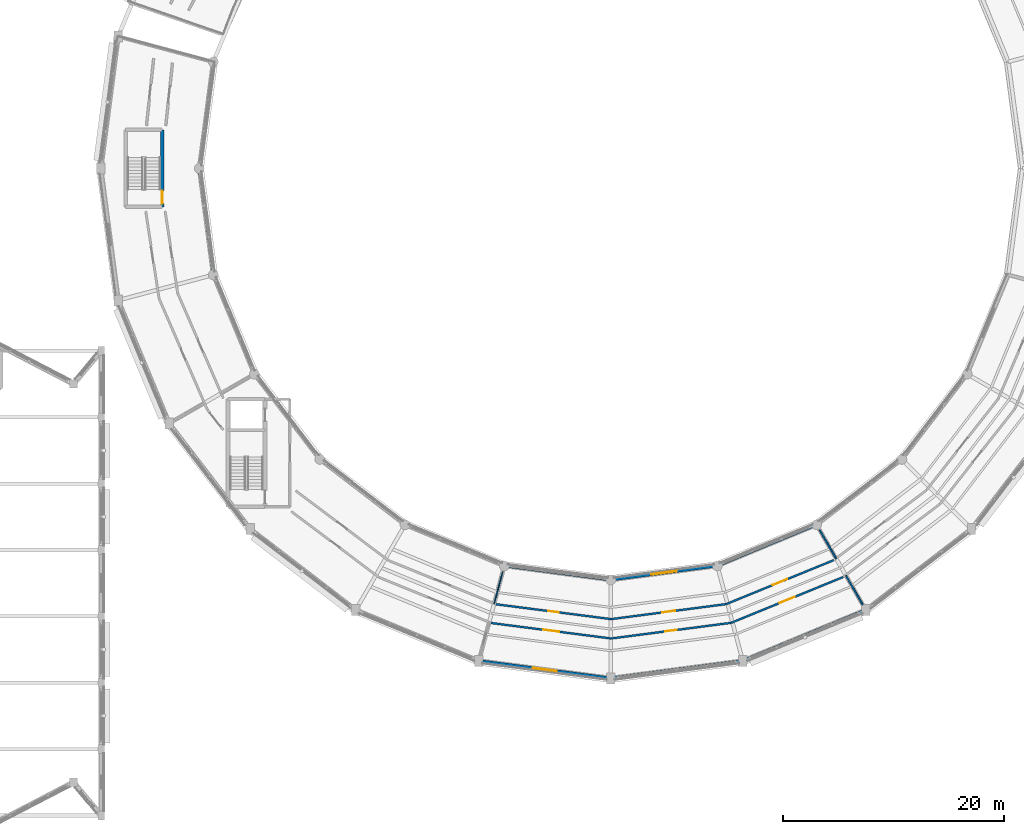
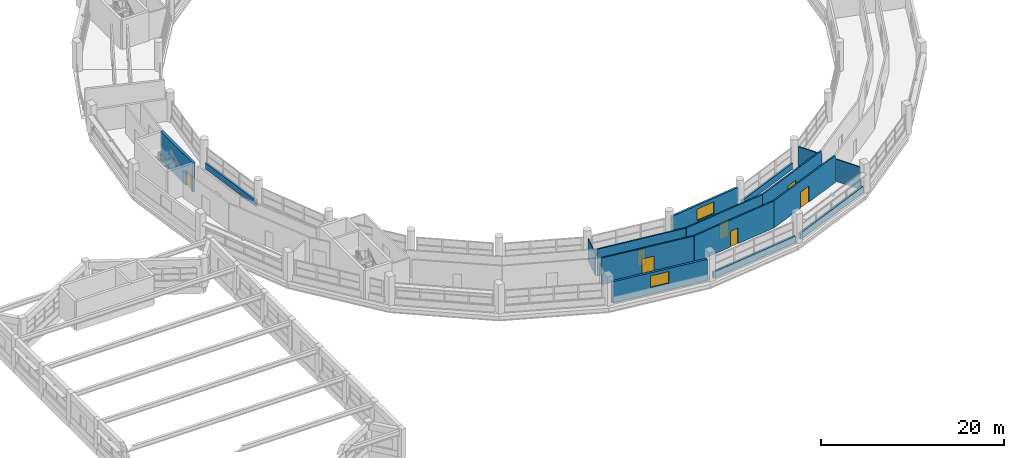
# One storey, part 91 of 108: 17 walls, 7 doors, 2 windows, 9 openings.
"""IFC4 building model written with IfcOpenShell, lengths in metres."""

from ifc_helpers import new_model, si_unit, direction, frame, frame_2d, origin, place, context, subcontext, project, spatial, rectangle, extrude, material, layer, layer_set, type_object, element, fill, save


model = new_model("IFC4")

# Units and contexts
model_context = context("Model", 3, precision=1e-05, world=origin(), true_north=direction((0.0, 1.0)))
body_context = subcontext(model_context, "Body", "Model", "MODEL_VIEW")
ifc_project = project(units=[si_unit("LENGTHUNIT", "METRE"), si_unit("AREAUNIT", "SQUARE_METRE"), si_unit("VOLUMEUNIT", "CUBIC_METRE"), si_unit("PLANEANGLEUNIT", "RADIAN"), si_unit("MASSUNIT", "GRAM", prefix="KILO")], contexts=[model_context])

# Site, building, storey
site_placement = place(None, origin())
site = spatial("IfcSite", under=ifc_project, at=site_placement, CompositionType="ELEMENT")
building_placement = place(site_placement, origin())
building = spatial("IfcBuilding", under=site, at=building_placement, Name="Vespera Passage Community Centre", CompositionType="ELEMENT")
storey_placement = place(building_placement, frame((0.0, 0.0, 12.60009765625)))
storey = spatial("IfcBuildingStorey", under=building, at=storey_placement, Name="L03", CompositionType="ELEMENT", Elevation=12.60009765625)

# Wall, opening, door
ifc_material_1 = material(Name="Concrete f'c 45 MPa", Category="concrete")
ifc_layer_1 = layer(ifc_material_1, 0.300048828125)
ifc_layer_set_1 = layer_set([ifc_layer_1], Name="Concrete f'c 45 MPa")
wall_type_1 = type_object("IfcWallType", Name="WT-CORE-300I", PredefinedType="SHEAR", material=ifc_layer_set_1)
wall_1_placement = place(storey_placement, frame((37.449951171875, 68.97509765625, 0.0), z_axis=(0.0, 0.0, 1.0), x_axis=(0.0, -1.0, 0.0)))
wall_1 = element("IfcWall", 1, at=wall_1_placement, inside=storey, type_object=wall_type_1, Name="Core C2 L03 Shear Wall FRONT", PredefinedType="SHEAR", context=body_context, shape_type="SweptSolid", body=[
    extrude(rectangle(XDim=6.9501953125, YDim=0.300048828125, at=frame_2d((3.47509765625, 0.0))), origin(), (0.0, 0.0, 1.0), 3.89990234375),
])
opening_1_placement = place(wall_1_placement, frame((5.5048828125, 0.0, 0.0)))
opening_1 = element("IfcOpeningElement", 2, at=opening_1_placement, cuts=wall_1, Name="Opening DT-STAIR-90", PredefinedType="OPENING", context=body_context, shape_type="SweptSolid", body=[
    extrude(rectangle(XDim=1.14990234375, YDim=2.14990234375, at=frame_2d((0.574951171875, 1.074951171875))), frame((0.0, 0.159912109375, 0.0), z_axis=(0.0, -1.0, 0.0), x_axis=(1.0, 0.0, 0.0)), (0.0, 0.0, 1.0), 0.320068359375),
])
ifc_material_2 = material(Name="Painted hollow-metal acoustic door", Category="steel")
door_type_1 = type_object("IfcDoorType", Name="DT-STAIR-90", OperationType="NOTDEFINED", PredefinedType="DOOR", material=ifc_material_2)
door_1_placement = place(opening_1_placement, origin())
door_1 = element("IfcDoor", 3, at=door_1_placement, inside=storey, type_object=door_type_1, Name="Core C2 L03 Exit Stair Door D-068", OperationType="SINGLE_SWING_RIGHT", OverallHeight=2.14990234375, OverallWidth=1.14990234375, PredefinedType="DOOR", context=body_context, shape_type="SweptSolid", body=[
    extrude(rectangle(XDim=1.14990234375, YDim=2.14990234375, at=frame_2d((0.574951171875, 1.074951171875))), frame((0.0, 0.02490234375, 0.0), z_axis=(0.0, -1.0, 0.0), x_axis=(1.0, 0.0, 0.0)), (0.0, 0.0, 1.0), 0.050048828125),
])
fill(opening_1, door_1)

ifc_material_3 = material(Name="Gypsum board acoustic stud partition")
ifc_layer_2 = layer(ifc_material_3, 0.179931640625)
ifc_layer_set_2 = layer_set([ifc_layer_2], Name="Gypsum board acoustic stud partition")
wall_type_2 = type_object("IfcWallType", Name="WT-CORR-180I", PredefinedType="PARTITIONING", material=ifc_layer_set_2)
wall_2_placement = place(storey_placement, frame((67.179443359375, 24.400390625, 0.0), z_axis=(0.0, 0.0, 1.0), x_axis=(0.991775673997, -0.12798832942, 0.0)))
wall_2 = element("IfcWall", 4, at=wall_2_placement, inside=storey, type_object=wall_type_2, Name="L03 Interior Partition V4-L03-CO16.1", PredefinedType="PARTITIONING", context=body_context, shape_type="SweptSolid", body=[
    extrude(rectangle(XDim=10.941650390625, YDim=0.179931640625, at=frame_2d((5.470703125, 0.0))), origin(), (0.0, 0.0, 1.0), 3.594970703125),
])
opening_2_placement = place(wall_2_placement, frame((4.745849609375, 0.0, 0.0)))
opening_2 = element("IfcOpeningElement", 5, at=opening_2_placement, cuts=wall_2, Name="Opening DT-PLANT-145", PredefinedType="OPENING", context=body_context, shape_type="SweptSolid", body=[
    extrude(rectangle(XDim=1.449951171875, YDim=2.199951171875, at=frame_2d((0.72509765625, 1.10009765625))), frame((0.0, 0.099853515625, 0.0), z_axis=(0.0, -1.0, 0.0), x_axis=(1.0, 0.0, 0.0)), (0.0, 0.0, 1.0), 0.199951171875),
])
ifc_material_4 = material(Name="Painted hollow-metal acoustic door", Category="steel")
door_type_2 = type_object("IfcDoorType", Name="DT-PLANT-145", OperationType="NOTDEFINED", PredefinedType="DOOR", material=ifc_material_4)
door_2_placement = place(opening_2_placement, origin())
door_2 = element("IfcDoor", 6, at=door_2_placement, inside=storey, type_object=door_type_2, Name="L03 Interior Door D-250", OperationType="SINGLE_SWING_RIGHT", OverallHeight=2.199951171875, OverallWidth=1.449951171875, PredefinedType="DOOR", context=body_context, shape_type="SweptSolid", body=[
    extrude(rectangle(XDim=1.449951171875, YDim=2.199951171875, at=frame_2d((0.72509765625, 1.10009765625))), frame((0.0, 0.02490234375, 0.0), z_axis=(0.0, -1.0, 0.0), x_axis=(1.0, 0.0, 0.0)), (0.0, 0.0, 1.0), 0.050048828125),
])
fill(opening_2, door_2)

wall_3_placement = place(storey_placement, frame((67.625, 26.093017578125, 0.0), z_axis=(0.0, 0.0, 1.0), x_axis=(0.991771863005, -0.128017857155, 0.0)))
wall_3 = element("IfcWall", 7, at=wall_3_placement, inside=storey, type_object=wall_type_2, Name="L03 Interior Partition V4-L03-CI16.1", PredefinedType="PARTITIONING", context=body_context, shape_type="SweptSolid", body=[
    extrude(rectangle(XDim=10.490966796875, YDim=0.179931640625, at=frame_2d((5.24560546875, 0.0))), origin(), (0.0, 0.0, 1.0), 3.594970703125),
])
opening_3_placement = place(wall_3_placement, frame((4.7705078125, 0.0, 0.0)))
opening_3 = element("IfcOpeningElement", 8, at=opening_3_placement, cuts=wall_3, Name="Opening DT-CORR-95", PredefinedType="OPENING", context=body_context, shape_type="SweptSolid", body=[
    extrude(rectangle(XDim=0.949951171875, YDim=2.10009765625, at=frame_2d((0.47509765625, 1.050048828125))), frame((0.0, 0.099853515625, 0.0), z_axis=(0.0, -1.0, 0.0), x_axis=(1.0, 0.0, 0.0)), (0.0, 0.0, 1.0), 0.199951171875),
])
ifc_material_5 = material(Name="Painted hollow-metal acoustic door", Category="steel")
door_type_3 = type_object("IfcDoorType", Name="DT-CORR-95", OperationType="NOTDEFINED", PredefinedType="DOOR", material=ifc_material_5)
door_3_placement = place(opening_3_placement, origin())
door_3 = element("IfcDoor", 9, at=door_3_placement, inside=storey, type_object=door_type_3, Name="L03 Interior Door D-251", OperationType="SINGLE_SWING_LEFT", OverallHeight=2.10009765625, OverallWidth=0.949951171875, PredefinedType="DOOR", context=body_context, shape_type="SweptSolid", body=[
    extrude(rectangle(XDim=0.949951171875, YDim=2.10009765625, at=frame_2d((0.47509765625, 1.050048828125))), frame((0.0, 0.02490234375, 0.0), z_axis=(0.0, -1.0, 0.0), x_axis=(1.0, 0.0, 0.0)), (0.0, 0.0, 1.0), 0.050048828125),
])
fill(opening_3, door_3)

wall_4_placement = place(storey_placement, frame((78.031005859375, 23.0, 0.0), z_axis=(0.0, 0.0, 1.0), x_axis=(0.991587217042, 0.129440298973, 0.0)))
wall_4 = element("IfcWall", 10, at=wall_4_placement, inside=storey, type_object=wall_type_2, Name="L03 Interior Partition V4-L03-CO17.1", PredefinedType="PARTITIONING", context=body_context, shape_type="SweptSolid", body=[
    extrude(rectangle(XDim=10.94140625, YDim=0.179931640625, at=frame_2d((5.470703125, 0.0))), origin(), (0.0, 0.0, 1.0), 3.594970703125),
])
opening_4_placement = place(wall_4_placement, frame((4.94580078125, 0.0, 0.0)))
opening_4 = element("IfcOpeningElement", 11, at=opening_4_placement, cuts=wall_4, Name="Opening DT-CORR-105", PredefinedType="OPENING", context=body_context, shape_type="SweptSolid", body=[
    extrude(rectangle(XDim=1.050048828125, YDim=2.10009765625, at=frame_2d((0.52490234375, 1.050048828125))), frame((0.0, 0.099853515625, 0.0), z_axis=(0.0, -1.0, 0.0), x_axis=(1.0, 0.0, 0.0)), (0.0, 0.0, 1.0), 0.199951171875),
])
ifc_material_6 = material(Name="Painted hollow-metal acoustic door", Category="steel")
door_type_4 = type_object("IfcDoorType", Name="DT-CORR-105", OperationType="NOTDEFINED", PredefinedType="DOOR", material=ifc_material_6)
door_4_placement = place(opening_4_placement, origin())
door_4 = element("IfcDoor", 12, at=door_4_placement, inside=storey, type_object=door_type_4, Name="L03 Interior Door D-252", OperationType="SINGLE_SWING_RIGHT", OverallHeight=2.10009765625, OverallWidth=1.050048828125, PredefinedType="DOOR", context=body_context, shape_type="SweptSolid", body=[
    extrude(rectangle(XDim=1.050048828125, YDim=2.10009765625, at=frame_2d((0.52490234375, 1.050048828125))), frame((0.0, 0.02490234375, 0.0), z_axis=(0.0, -1.0, 0.0), x_axis=(1.0, 0.0, 0.0)), (0.0, 0.0, 1.0), 0.050048828125),
])
fill(opening_4, door_4)

wall_5_placement = place(storey_placement, frame((78.029541015625, 24.75, 0.0), z_axis=(0.0, 0.0, 1.0), x_axis=(0.991587949115, 0.129434690753, 0.0)))
wall_5 = element("IfcWall", 13, at=wall_5_placement, inside=storey, type_object=wall_type_2, Name="L03 Interior Partition V4-L03-CI17.1", PredefinedType="PARTITIONING", context=body_context, shape_type="SweptSolid", body=[
    extrude(rectangle(XDim=10.490966796875, YDim=0.179931640625, at=frame_2d((5.24560546875, 0.0))), origin(), (0.0, 0.0, 1.0), 3.594970703125),
])
opening_5_placement = place(wall_5_placement, frame((4.6455078125, 0.0, 0.0)))
opening_5 = element("IfcOpeningElement", 14, at=opening_5_placement, cuts=wall_5, Name="Opening DT-CORR-120", PredefinedType="OPENING", context=body_context, shape_type="SweptSolid", body=[
    extrude(rectangle(XDim=1.199951171875, YDim=2.14990234375, at=frame_2d((0.60009765625, 1.074951171875))), frame((0.0, 0.099853515625, 0.0), z_axis=(0.0, -1.0, 0.0), x_axis=(1.0, 0.0, 0.0)), (0.0, 0.0, 1.0), 0.199951171875),
])
ifc_material_7 = material(Name="Painted hollow-metal acoustic door", Category="steel")
door_type_5 = type_object("IfcDoorType", Name="DT-CORR-120", OperationType="NOTDEFINED", PredefinedType="DOOR", material=ifc_material_7)
door_5_placement = place(opening_5_placement, origin())
door_5 = element("IfcDoor", 15, at=door_5_placement, inside=storey, type_object=door_type_5, Name="L03 Interior Door D-253", OperationType="SINGLE_SWING_LEFT", OverallHeight=2.14990234375, OverallWidth=1.199951171875, PredefinedType="DOOR", context=body_context, shape_type="SweptSolid", body=[
    extrude(rectangle(XDim=1.199951171875, YDim=2.14990234375, at=frame_2d((0.60009765625, 1.074951171875))), frame((0.0, 0.02490234375, 0.0), z_axis=(0.0, -1.0, 0.0), x_axis=(1.0, 0.0, 0.0)), (0.0, 0.0, 1.0), 0.050048828125),
])
fill(opening_5, door_5)

wall_6_placement = place(storey_placement, frame((88.88037109375, 24.416259765625, 0.0), z_axis=(0.0, 0.0, 1.0), x_axis=(0.925676277966, 0.378316571685, 0.0)))
wall_6 = element("IfcWall", 16, at=wall_6_placement, inside=storey, type_object=wall_type_2, Name="L03 Interior Partition V4-L03-CO18.1", PredefinedType="PARTITIONING", context=body_context, shape_type="SweptSolid", body=[
    extrude(rectangle(XDim=10.941650390625, YDim=0.179931640625, at=frame_2d((5.470703125, 0.0))), origin(), (0.0, 0.0, 1.0), 3.594970703125),
])
opening_6_placement = place(wall_6_placement, frame((4.720703125, 0.0, 0.0)))
opening_6 = element("IfcOpeningElement", 17, at=opening_6_placement, cuts=wall_6, Name="Opening DT-CORR-150", PredefinedType="OPENING", context=body_context, shape_type="SweptSolid", body=[
    extrude(rectangle(XDim=1.5, YDim=2.14990234375, at=frame_2d((0.75, 1.074951171875))), frame((0.0, 0.099853515625, 0.0), z_axis=(0.0, -1.0, 0.0), x_axis=(1.0, 0.0, 0.0)), (0.0, 0.0, 1.0), 0.199951171875),
])
ifc_material_8 = material(Name="Painted hollow-metal acoustic door", Category="steel")
door_type_6 = type_object("IfcDoorType", Name="DT-CORR-150", OperationType="NOTDEFINED", PredefinedType="DOOR", material=ifc_material_8)
door_6_placement = place(opening_6_placement, origin())
door_6 = element("IfcDoor", 18, at=door_6_placement, inside=storey, type_object=door_type_6, Name="L03 Interior Door D-254", OperationType="SINGLE_SWING_RIGHT", OverallHeight=2.14990234375, OverallWidth=1.5, PredefinedType="DOOR", context=body_context, shape_type="SweptSolid", body=[
    extrude(rectangle(XDim=1.5, YDim=2.14990234375, at=frame_2d((0.75, 1.074951171875))), frame((0.0, 0.02490234375, 0.0), z_axis=(0.0, -1.0, 0.0), x_axis=(1.0, 0.0, 0.0)), (0.0, 0.0, 1.0), 0.050048828125),
])
fill(opening_6, door_6)

wall_7_placement = place(storey_placement, frame((88.432373046875, 26.10791015625, 0.0), z_axis=(0.0, 0.0, 1.0), x_axis=(0.925672571616, 0.378325640364, 0.0)))
wall_7 = element("IfcWall", 19, at=wall_7_placement, inside=storey, type_object=wall_type_2, Name="L03 Interior Partition V4-L03-CI18.1", PredefinedType="PARTITIONING", context=body_context, shape_type="SweptSolid", body=[
    extrude(rectangle(XDim=10.490966796875, YDim=0.179931640625, at=frame_2d((5.24560546875, 0.0))), origin(), (0.0, 0.0, 1.0), 3.594970703125),
])
opening_7_placement = place(wall_7_placement, frame((4.5205078125, 0.0, 0.0)))
opening_7 = element("IfcOpeningElement", 20, at=opening_7_placement, cuts=wall_7, Name="Opening DT-PLANT-145", PredefinedType="OPENING", context=body_context, shape_type="SweptSolid", body=[
    extrude(rectangle(XDim=1.449951171875, YDim=2.199951171875, at=frame_2d((0.72509765625, 1.10009765625))), frame((0.0, 0.099853515625, 0.0), z_axis=(0.0, -1.0, 0.0), x_axis=(1.0, 0.0, 0.0)), (0.0, 0.0, 1.0), 0.199951171875),
])
door_7_placement = place(opening_7_placement, origin())
door_7 = element("IfcDoor", 21, at=door_7_placement, inside=storey, type_object=door_type_2, Name="L03 Interior Door D-255", OperationType="SINGLE_SWING_LEFT", OverallHeight=2.199951171875, OverallWidth=1.449951171875, PredefinedType="DOOR", context=body_context, shape_type="SweptSolid", body=[
    extrude(rectangle(XDim=1.449951171875, YDim=2.199951171875, at=frame_2d((0.72509765625, 1.10009765625))), frame((0.0, 0.02490234375, 0.0), z_axis=(0.0, -1.0, 0.0), x_axis=(1.0, 0.0, 0.0)), (0.0, 0.0, 1.0), 0.050048828125),
])
fill(opening_7, door_7)

# Walls
ifc_material_9 = material(Name="Precast concrete f'c 40 MPa", Category="concrete")
ifc_layer_3 = layer(ifc_material_9, 0.25)
ifc_layer_set_3 = layer_set([ifc_layer_3], Name="Precast concrete f'c 40 MPa")
wall_type_3 = type_object("IfcWallType", Name="WT-EXT-250E", PredefinedType="STANDARD", material=ifc_layer_set_3)
for number, where, z_axis, x_axis, name in (
    (22, (40.836181640625, 65.224853515625, 0.0), (0.0, 0.0, 1.0), (0.130549698469, -0.991441766434, 0.0), "V4 L03 Court Spandrel Wall I12"),
    (23, (68.647216796875, 29.531494140625, 0.0), (0.0, 0.0, 1.0), (0.991441766434, -0.130549698469, 0.0), "V4 L03 Court Spandrel Wall I17"),
):
    element("IfcWall", number, at=place(storey_placement, frame(where, z_axis=z_axis, x_axis=x_axis)), inside=storey, type_object=wall_type_3, Name=name, PredefinedType="STANDARD", context=body_context, shape_type="SweptSolid", body=[
        extrude(rectangle(XDim=9.156005859375, YDim=0.25, at=frame_2d((4.578125, 0.0))), origin(), (0.0, 0.0, 1.0), 0.81982421875),
    ])

# Wall, opening, window
wall_8_placement = place(storey_placement, frame((78.275146484375, 28.336181640625, 0.0), z_axis=(0.0, 0.0, 1.0), x_axis=(0.991441766434, 0.130549698469, 0.0)))
wall_8 = element("IfcWall", 24, at=wall_8_placement, inside=storey, type_object=wall_type_3, Name="V4 L03 Inner Court Precast Wall 18", PredefinedType="STANDARD", context=body_context, shape_type="SweptSolid", body=[
    extrude(rectangle(XDim=9.156005859375, YDim=0.25, at=frame_2d((4.578125, 0.0))), origin(), (0.0, 0.0, 1.0), 2.889404296875),
])
opening_8_placement = place(wall_8_placement, frame((3.403076171875, 0.0, 0.85009765625)))
opening_8 = element("IfcOpeningElement", 25, at=opening_8_placement, cuts=wall_8, Name="Opening WN-14E", PredefinedType="OPENING", context=body_context, shape_type="SweptSolid", body=[
    extrude(rectangle(XDim=2.35009765625, YDim=1.550048828125, at=frame_2d((1.175048828125, 0.77490234375))), frame((0.0, 0.135009765625, 0.0), z_axis=(0.0, -1.0, 0.0), x_axis=(1.0, 0.0, 0.0)), (0.0, 0.0, 1.0), 0.27001953125),
])
ifc_material_10 = material(Name="Low-E insulated vision glass", Category="glass")
window_type_1 = type_object("IfcWindowType", Name="WN-14E", PartitioningType="SINGLE_PANEL", PredefinedType="WINDOW", material=ifc_material_10)
window_1_placement = place(opening_8_placement, origin())
window_1 = element("IfcWindow", 26, at=window_1_placement, inside=storey, type_object=window_type_1, Name="Window WN-V4-L03-I18", OverallHeight=1.550048828125, OverallWidth=2.35009765625, PartitioningType="SINGLE_PANEL", PredefinedType="WINDOW", context=body_context, shape_type="SweptSolid", body=[
    extrude(rectangle(XDim=2.35009765625, YDim=1.550048828125, at=frame_2d((1.175048828125, 0.77490234375))), frame((0.0, 0.030029296875, 0.0), z_axis=(0.0, -1.0, 0.0), x_axis=(1.0, 0.0, 0.0)), (0.0, 0.0, 1.0), 0.06005859375),
])
fill(opening_8, window_1)

# Wall
wall_9_placement = place(storey_placement, frame((87.905029296875, 29.682373046875, 0.0), z_axis=(0.0, 0.0, 1.0), x_axis=(0.923880324771, 0.382681519675, 0.0)))
element("IfcWall", 27, at=wall_9_placement, inside=storey, type_object=wall_type_3, Name="V4 L03 Court Spandrel Wall I19", PredefinedType="STANDARD", context=body_context, shape_type="SweptSolid", body=[
    extrude(rectangle(XDim=9.111572265625, YDim=0.25, at=frame_2d((4.5556640625, 0.0))), origin(), (0.0, 0.0, 1.0), 0.81982421875),
])

# Wall, opening, window
ifc_material_11 = material(Name="Precast concrete f'c 40 MPa", Category="concrete")
ifc_layer_4 = layer(ifc_material_11, 0.280029296875)
ifc_layer_set_4 = layer_set([ifc_layer_4], Name="Precast concrete f'c 40 MPa")
wall_type_4 = type_object("IfcWallType", Name="WT-EXT-280E", PredefinedType="STANDARD", material=ifc_layer_set_4)
wall_10_placement = place(storey_placement, frame((77.64990234375, 19.446044921875, 0.0), z_axis=(0.0, 0.0, 1.0), x_axis=(-0.991443215359, 0.130538694334, 0.0)))
wall_10 = element("IfcWall", 28, at=wall_10_placement, inside=storey, type_object=wall_type_4, Name="V4 L03 Outer Precast Wall 17", PredefinedType="STANDARD", context=body_context, shape_type="SweptSolid", body=[
    extrude(rectangle(XDim=11.328125, YDim=0.280029296875, at=frame_2d((5.6640625, 0.0))), origin(), (0.0, 0.0, 1.0), 2.805419921875),
])
opening_9_placement = place(wall_10_placement, frame((4.589111328125, 0.0, 0.85009765625)))
opening_9 = element("IfcOpeningElement", 29, at=opening_9_placement, cuts=wall_10, Name="Opening WN-13E", PredefinedType="OPENING", context=body_context, shape_type="SweptSolid", body=[
    extrude(rectangle(XDim=2.14990234375, YDim=1.550048828125, at=frame_2d((1.074951171875, 0.77490234375))), frame((0.0, 0.150146484375, 0.0), z_axis=(0.0, -1.0, 0.0), x_axis=(1.0, 0.0, 0.0)), (0.0, 0.0, 1.0), 0.300048828125),
])
ifc_material_12 = material(Name="Low-E insulated vision glass", Category="glass")
window_type_2 = type_object("IfcWindowType", Name="WN-13E", PartitioningType="SINGLE_PANEL", PredefinedType="WINDOW", material=ifc_material_12)
window_2_placement = place(opening_9_placement, origin())
window_2 = element("IfcWindow", 30, at=window_2_placement, inside=storey, type_object=window_type_2, Name="Window WN-V4-L03-O17", OverallHeight=1.550048828125, OverallWidth=2.14990234375, PartitioningType="SINGLE_PANEL", PredefinedType="WINDOW", context=body_context, shape_type="SweptSolid", body=[
    extrude(rectangle(XDim=2.14990234375, YDim=1.550048828125, at=frame_2d((1.074951171875, 0.77490234375))), frame((0.0, 0.030029296875, 0.0), z_axis=(0.0, -1.0, 0.0), x_axis=(1.0, 0.0, 0.0)), (0.0, 0.0, 1.0), 0.06005859375),
])
fill(opening_9, window_2)

# Walls
wall_11_placement = place(storey_placement, frame((89.581298828125, 20.9248046875, 0.0), z_axis=(0.0, 0.0, 1.0), x_axis=(-0.991443215359, -0.130538694334, 0.0)))
element("IfcWall", 31, at=wall_11_placement, inside=storey, type_object=wall_type_4, Name="V4 L03 Spandrel Wall O18", PredefinedType="STANDARD", context=body_context, shape_type="SweptSolid", body=[
    extrude(rectangle(XDim=11.328125, YDim=0.280029296875, at=frame_2d((5.6640625, 0.0))), origin(), (0.0, 0.0, 1.0), 0.81982421875),
])
wall_12_placement = place(storey_placement, frame((100.697998046875, 25.430419921875, 0.0), z_axis=(0.0, 0.0, 1.0), x_axis=(-0.923883530636, -0.382673779896, 0.0)))
element("IfcWall", 32, at=wall_12_placement, inside=storey, type_object=wall_type_4, Name="V4 L03 Spandrel Wall O19", PredefinedType="STANDARD", context=body_context, shape_type="SweptSolid", body=[
    extrude(rectangle(XDim=11.2724609375, YDim=0.280029296875, at=frame_2d((5.63623046875, 0.0))), origin(), (0.0, 0.0, 1.0), 0.81982421875),
])
ifc_material_13 = material(Name="Gypsum board stud partition")
ifc_layer_5 = layer(ifc_material_13, 0.10009765625)
ifc_layer_set_5 = layer_set([ifc_layer_5], Name="Gypsum board stud partition")
wall_type_5 = type_object("IfcWallType", Name="WT-LIGHT-100I", PredefinedType="PARTITIONING", material=ifc_layer_set_5)
wall_13_placement = place(storey_placement, frame((68.2294921875, 29.036376953125, 0.0), z_axis=(0.0, 0.0, 1.0), x_axis=(-0.258776761059, -0.965937155273, 0.0)))
element("IfcWall", 33, at=wall_13_placement, inside=storey, type_object=wall_type_5, Name="L03 Interior Partition V4-L03-RI21-2.1", PredefinedType="PARTITIONING", context=body_context, shape_type="SweptSolid", body=[
    extrude(rectangle(XDim=3.000244140625, YDim=0.10009765625, at=frame_2d((1.5, 0.0))), origin(), (0.0, 0.0, 1.0), 2.95654296875),
])
ifc_material_14 = material(Name="Gypsum board acoustic stud partition")
ifc_layer_6 = layer(ifc_material_14, 0.139892578125)
ifc_layer_set_6 = layer_set([ifc_layer_6], Name="Gypsum board acoustic stud partition")
wall_type_6 = type_object("IfcWallType", Name="WT-ROOM-140I", PredefinedType="PARTITIONING", material=ifc_layer_set_6)
wall_14_placement = place(storey_placement, frame((99.25, 28.69384765625, 0.0), z_axis=(0.0, 0.0, 1.0), x_axis=(0.499978833458, -0.866037623948, 0.0)))
element("IfcWall", 34, at=wall_14_placement, inside=storey, type_object=wall_type_6, Name="L03 Interior Partition V4-L03-RO21-3.1", PredefinedType="PARTITIONING", context=body_context, shape_type="SweptSolid", body=[
    extrude(rectangle(XDim=3.050048828125, YDim=0.139892578125, at=frame_2d((1.52490234375, 0.0))), origin(), (0.0, 0.0, 1.0), 2.95654296875),
])
wall_15_placement = place(storey_placement, frame((96.875, 32.8076171875, 0.0), z_axis=(0.0, 0.0, 1.0), x_axis=(0.499990139034, -0.866031096941, 0.0)))
element("IfcWall", 35, at=wall_15_placement, inside=storey, type_object=wall_type_6, Name="L03 Interior Partition V4-L03-RI21-3.1", PredefinedType="PARTITIONING", context=body_context, shape_type="SweptSolid", body=[
    extrude(rectangle(XDim=3.0, YDim=0.139892578125, at=frame_2d((1.5, 0.0))), origin(), (0.0, 0.0, 1.0), 2.95654296875),
])

save(model, "model.ifc")
